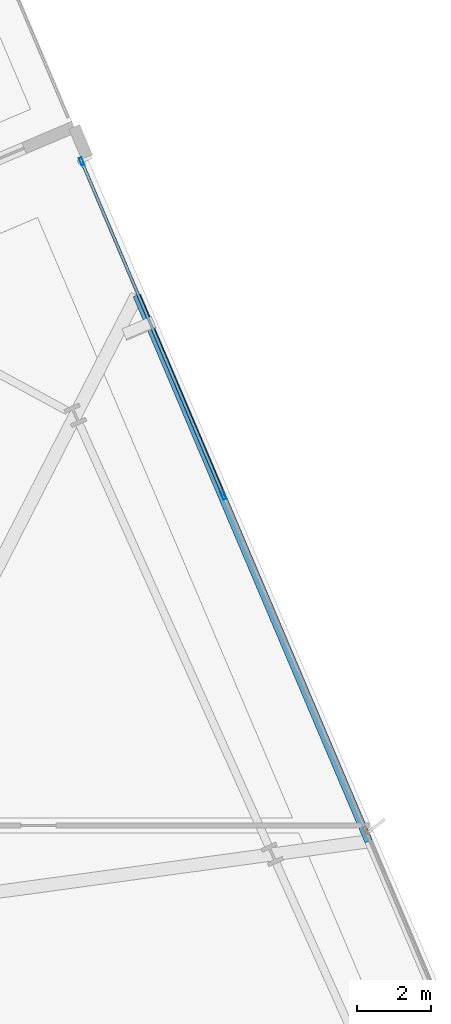
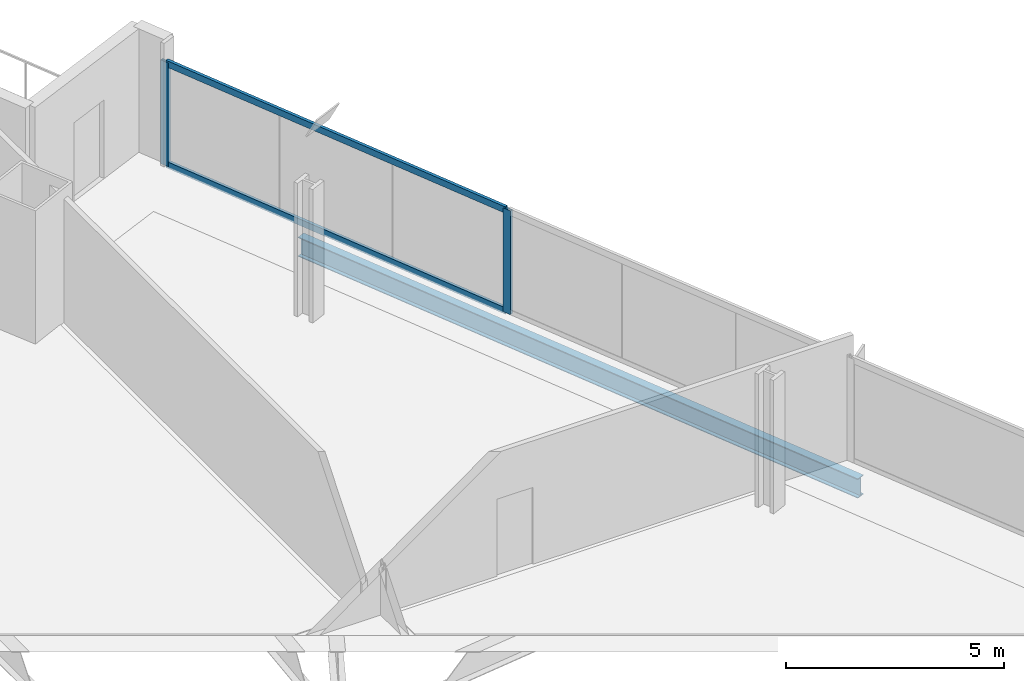
# One storey, part 24 of 34: 4 members, 1 beam, 1 element without a shape of its own.
"""IFC4 building model written with IfcOpenShell, lengths in metres."""

from ifc_helpers import new_model, si_unit, direction, frame, origin, origin_2d, place, context, subcontext, project, spatial, hollow_rectangle, i_section, extrude, material, material_profile, profile_set, type_object, element, aggregate, save


model = new_model("IFC4")

# Units and contexts
model_context = context("Model", 3, precision=1e-05, world=origin(), true_north=direction((0.0, 1.0)))
body_context = subcontext(model_context, "Body", "Model", "MODEL_VIEW")
ifc_project = project(units=[si_unit("LENGTHUNIT", "METRE"), si_unit("AREAUNIT", "SQUARE_METRE"), si_unit("VOLUMEUNIT", "CUBIC_METRE"), si_unit("PLANEANGLEUNIT", "RADIAN"), si_unit("MASSUNIT", "GRAM", prefix="KILO")], contexts=[model_context])

# Site, building, storey
site_placement = place(None, origin())
site = spatial("IfcSite", under=ifc_project, at=site_placement, CompositionType="ELEMENT")
building_placement = place(site_placement, origin())
building = spatial("IfcBuilding", under=site, at=building_placement, Name="Haldenkirk Collegiate Tower", CompositionType="ELEMENT")
storey_placement = place(building_placement, frame((0.0, 0.0, 105.449951171875)))
storey = spatial("IfcBuildingStorey", under=building, at=storey_placement, Name="L25", CompositionType="ELEMENT", Elevation=105.449951171875)

# Beam
ifc_material_1 = material(Name="Steel ASTM A992 Grade 50", Category="steel")
ifc_material_profile_1 = material_profile(ifc_material_1, i_section(OverallWidth=0.2119140625, OverallDepth=0.5439453125, WebThickness=0.01318359375, FlangeThickness=0.021240234375, at=origin_2d()), Name="W21X83")
ifc_profile_set_1 = profile_set([ifc_material_profile_1], Name="Steel ASTM A992 Grade 50")
beam_type = type_object("IfcBeamType", Name="BM-SPANDREL-W21X83", PredefinedType="SPANDREL", material=ifc_profile_set_1)
beam_placement = place(storey_placement, frame((59.861083984375, 36.021728515625, -0.572021484375), z_axis=(-0.390739759765, 0.920501189645, 0.0), x_axis=(-0.920501189645, -0.390739759765, 0.0)))
element("IfcBeam", 1, at=beam_placement, inside=storey, type_object=beam_type, Name="L25 outer facade edge beam 2B", PredefinedType="SPANDREL", context=body_context, shape_type="SweptSolid", body=[
    extrude(i_section(OverallWidth=0.2119140625, OverallDepth=0.5439453125, WebThickness=0.01318359375, FlangeThickness=0.021240234375, at=origin_2d()), origin(), (0.0, 0.0, 1.0), 16.0439453125),
])

# Curtain wall, members
ifc_material_2 = material(Name="Anodised architectural bronze aluminium", Category="aluminium")
curtain_wall_type = type_object("IfcCurtainWallType", Name="CW-SYS1-CONVEX-LOW", PredefinedType="USERDEFINED", material=ifc_material_2)
curtain_wall_placement = place(storey_placement, origin())
curtain_wall = element("IfcCurtainWall", 2, at=curtain_wall_placement, inside=storey, type_object=curtain_wall_type, Name="L25 Lower tower convex bronze-framed unitised curtain wall", ObjectType="UNITISED CURTAIN WALL", PredefinedType="USERDEFINED")
ifc_material_profile_2 = material_profile(ifc_material_2, hollow_rectangle(XDim=0.080078125, YDim=0.219970703125, WallThickness=0.0048828125, at=origin_2d()), Name="CW-MUL-1A")
ifc_profile_set_2 = profile_set([ifc_material_profile_2], Name="Anodised architectural bronze aluminium")
member_type_1 = type_object("IfcMemberType", Name="CW-MUL-1A", PredefinedType="MULLION", material=ifc_profile_set_2)
member_1_placement = place(storey_placement, frame((52.099609375, 54.408935546875, 0.0), z_axis=(0.0, 0.0, 1.0), x_axis=(0.920505471827, 0.390729671687, 0.0)))
member_1 = element("IfcMember", 3, at=member_1_placement, type_object=member_type_1, Name="CW-1A mullion 1", PredefinedType="MULLION", context=body_context, shape_type="SweptSolid", body=[
    extrude(hollow_rectangle(XDim=0.080078125, YDim=0.219970703125, WallThickness=0.0048828125, at=origin_2d()), origin(), (0.0, 0.0, 1.0), 2.901123046875),
])
member_2_placement = place(storey_placement, frame((55.9326171875, 45.37890625, 0.0), z_axis=(0.0, 0.0, 1.0), x_axis=(0.920505471827, 0.390729671687, 0.0)))
member_2 = element("IfcMember", 4, at=member_2_placement, type_object=member_type_1, Name="CW-1A mullion 2", PredefinedType="MULLION", context=body_context, shape_type="SweptSolid", body=[
    extrude(hollow_rectangle(XDim=0.080078125, YDim=0.219970703125, WallThickness=0.0048828125, at=origin_2d()), origin(), (0.0, 0.0, 1.0), 2.901123046875),
])
ifc_material_profile_3 = material_profile(ifc_material_2, hollow_rectangle(XDim=0.080078125, YDim=0.179931640625, WallThickness=0.0048828125, at=origin_2d()), Name="CW-TRN-1A")
ifc_profile_set_3 = profile_set([ifc_material_profile_3], Name="Anodised architectural bronze aluminium")
member_type_2 = type_object("IfcMemberType", Name="CW-TRN-1A", PredefinedType="USERDEFINED", material=ifc_profile_set_3)
member_3_placement = place(storey_placement, frame((52.115234375, 54.3720703125, 0.0400390625), z_axis=(0.390734134136, -0.920503577625, 0.0), x_axis=(0.920503577625, 0.390734134136, 0.0)))
member_3 = element("IfcMember", 5, at=member_3_placement, type_object=member_type_2, Name="CW-1A transom 1.1", ObjectType="TRANSOM", PredefinedType="USERDEFINED", context=body_context, shape_type="SweptSolid", body=[
    extrude(hollow_rectangle(XDim=0.080078125, YDim=0.179931640625, WallThickness=0.0048828125, at=origin_2d()), origin(), (0.0, 0.0, 1.0), 9.729736328125),
])
member_4_placement = place(storey_placement, frame((52.115234375, 54.3720703125, 2.861083984375), z_axis=(0.390734134136, -0.920503577625, 0.0), x_axis=(0.920503577625, 0.390734134136, 0.0)))
member_4 = element("IfcMember", 6, at=member_4_placement, type_object=member_type_2, Name="CW-1A transom 1.2", ObjectType="TRANSOM", PredefinedType="USERDEFINED", context=body_context, shape_type="SweptSolid", body=[
    extrude(hollow_rectangle(XDim=0.080078125, YDim=0.179931640625, WallThickness=0.0048828125, at=origin_2d()), origin(), (0.0, 0.0, 1.0), 9.729736328125),
])
aggregate(curtain_wall, [member_1, member_2, member_3, member_4])

save(model, "model.ifc")
